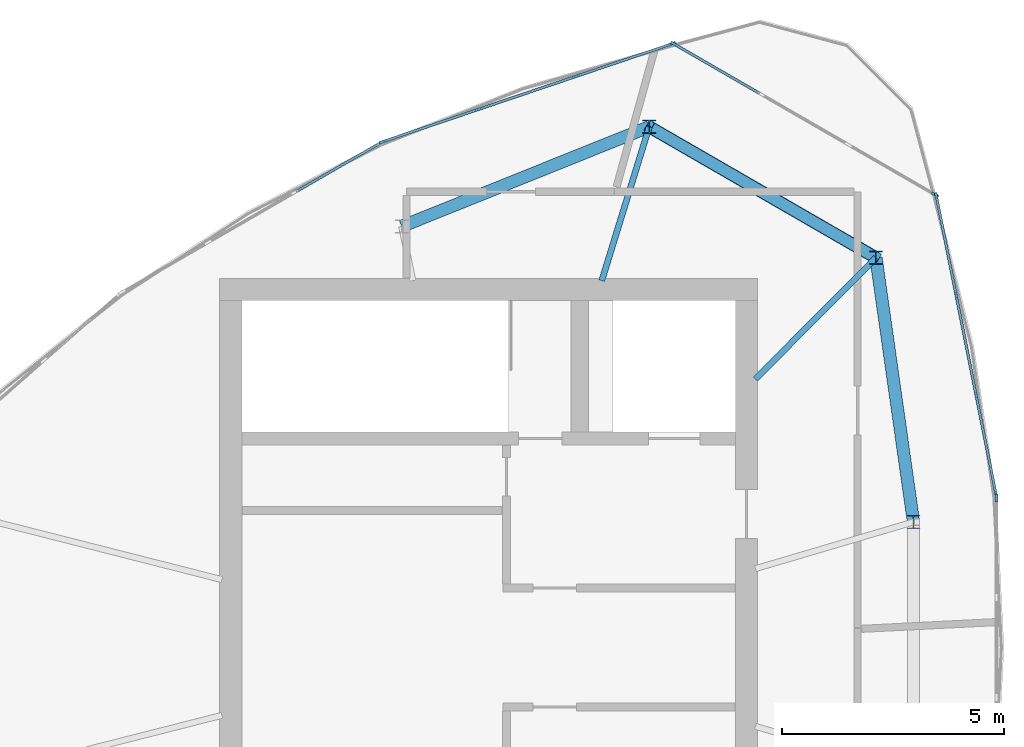
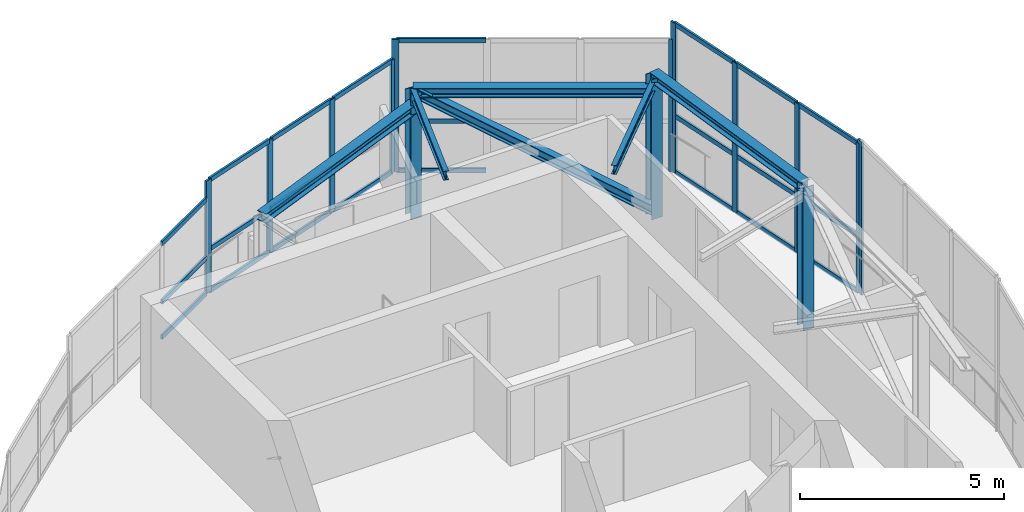
# One storey, part 4 of 9: 44 members, 5 elements without a shape of their own.
"""IFC4 building model written with IfcOpenShell, lengths in metres."""

from ifc_helpers import new_model, si_unit, direction, frame, origin, origin_2d, place, context, subcontext, project, spatial, rectangle, i_section, extrude, source, transform, mapped, material, layer, layer_set, material_profile, profile_set, type_object, element, aggregate, save


model = new_model("IFC4")

# Units and contexts
model_context = context("Model", 3, precision=1e-05, world=origin(), true_north=direction((0.0, 1.0)))
body_context = subcontext(model_context, "Body", "Model", "MODEL_VIEW")
ifc_project = project(units=[si_unit("LENGTHUNIT", "METRE"), si_unit("AREAUNIT", "SQUARE_METRE"), si_unit("VOLUMEUNIT", "CUBIC_METRE"), si_unit("PLANEANGLEUNIT", "RADIAN"), si_unit("MASSUNIT", "GRAM", prefix="KILO")], contexts=[model_context])

# Site, building, storey
site_placement = place(None, origin())
site = spatial("IfcSite", under=ifc_project, at=site_placement, CompositionType="ELEMENT")
building_placement = place(site_placement, origin())
building = spatial("IfcBuilding", under=site, at=building_placement, Name="Qafzar Sky-Pleat Residences", CompositionType="ELEMENT")
storey_placement = place(building_placement, frame((0.0, 0.0, 274.699951171875)))
storey = spatial("IfcBuildingStorey", under=building, at=storey_placement, Name="L81 Crown", CompositionType="ELEMENT", Elevation=274.699951171875)

# Members
ifc_material_1 = material(Name="Steel S355", Category="steel")
ifc_material_profile_1 = material_profile(ifc_material_1, i_section(OverallWidth=0.280029296875, OverallDepth=0.280029296875, WebThickness=0.010498046875, FlangeThickness=0.01806640625, FilletRadius=0.02392578125, at=origin_2d()), Name="HEB 280")
ifc_profile_set_1 = profile_set([ifc_material_profile_1], Name="Steel S355")
member_type_1 = type_object("IfcMemberType", Name="MEM-CROWN-RING", PredefinedType="PURLIN", material=ifc_profile_set_1)
shared_shape_1 = source(origin(), body_context, "Body", "SweptSolid", [
    extrude(i_section(OverallWidth=0.280029296875, OverallDepth=0.280029296875, WebThickness=0.010498046875, FlangeThickness=0.01806640625, FilletRadius=0.02392578125, at=origin_2d()), origin(), (0.0, 0.0, 1.0), 6.00244140625),
])
member_1_placement = place(storey_placement, frame((33.961181640625, 37.710693359375, 3.259765625), z_axis=(-0.927725846294, -0.373262312747, 0.0), x_axis=(0.373262312747, -0.927725846294, 0.0)))
element("IfcMember", 1, at=member_1_placement, inside=storey, type_object=member_type_1, Name="L81 Crown CROWN FRAME Ring Beam 10", PredefinedType="PURLIN", context=body_context, shape_type="MappedRepresentation", body=[
    mapped(shared_shape_1, transform((0.0, 0.0, 0.0), x_axis=(1.0, 0.0, 0.0), y_axis=(0.0, 1.0, 0.0), z_axis=(0.0, 0.0, 1.0), scale=1.0)),
])
shared_shape_2 = source(origin(), body_context, "Body", "SweptSolid", [
    extrude(i_section(OverallWidth=0.280029296875, OverallDepth=0.280029296875, WebThickness=0.010498046875, FlangeThickness=0.01806640625, FilletRadius=0.02392578125, at=origin_2d()), origin(), (0.0, 0.0, 1.0), 5.888916015625),
])
member_2_placement = place(storey_placement, frame((39.06103515625, 34.76611328125, 3.7470703125), z_axis=(-0.866012294628, 0.500022705037, 0.0), x_axis=(-0.500022705037, -0.866012294628, 0.0)))
element("IfcMember", 2, at=member_2_placement, inside=storey, type_object=member_type_1, Name="L81 Crown CROWN FRAME Ring Beam 9", PredefinedType="PURLIN", context=body_context, shape_type="MappedRepresentation", body=[
    mapped(shared_shape_2, transform((0.0, 0.0, 0.0), x_axis=(1.0, 0.0, 0.0), y_axis=(0.0, 1.0, 0.0), z_axis=(0.0, 0.0, 1.0), scale=1.0)),
])
shared_shape_3 = source(origin(), body_context, "Body", "SweptSolid", [
    extrude(i_section(OverallWidth=0.280029296875, OverallDepth=0.280029296875, WebThickness=0.010498046875, FlangeThickness=0.01806640625, FilletRadius=0.02392578125, at=origin_2d()), origin(), (0.0, 0.0, 1.0), 6.002197265625),
])
member_3_placement = place(storey_placement, frame((39.905029296875, 28.823486328125, 4.193115234375), z_axis=(-0.140612694547, 0.990064679772, 0.0), x_axis=(-0.990064679772, -0.140612694547, 0.0)))
element("IfcMember", 3, at=member_3_placement, inside=storey, type_object=member_type_1, Name="L81 Crown CROWN FRAME Ring Beam 8", PredefinedType="PURLIN", context=body_context, shape_type="MappedRepresentation", body=[
    mapped(shared_shape_3, transform((0.0, 0.0, 0.0), x_axis=(1.0, 0.0, 0.0), y_axis=(0.0, 1.0, 0.0), z_axis=(0.0, 0.0, 1.0), scale=1.0)),
])
ifc_material_2 = material(Name="Steel S460", Category="steel")
ifc_material_profile_2 = material_profile(ifc_material_2, i_section(OverallWidth=0.300048828125, OverallDepth=0.300048828125, WebThickness=0.010986328125, FlangeThickness=0.01904296875, FilletRadius=0.027099609375, at=origin_2d()), Name="HEB 300")
ifc_profile_set_2 = profile_set([ifc_material_profile_2], Name="Steel S460")
member_type_2 = type_object("IfcMemberType", Name="MEM-CROWN-RIB", PredefinedType="CHORD", material=ifc_profile_set_2)
shared_shape_4 = source(origin(), body_context, "Body", "SweptSolid", [
    extrude(i_section(OverallWidth=0.300048828125, OverallDepth=0.300048828125, WebThickness=0.010986328125, FlangeThickness=0.01904296875, FilletRadius=0.027099609375, at=origin_2d()), origin(), (0.0, 0.0, 1.0), 3.737060546875),
])
member_4_placement = place(storey_placement, frame((33.961181640625, 37.710693359375, 0.0), z_axis=(0.0, 0.0, 1.0), x_axis=(1.0, 0.0, 0.0)))
element("IfcMember", 4, at=member_4_placement, inside=storey, type_object=member_type_2, Name="L81 Crown CROWN FRAME Inclined Rib 10", PredefinedType="CHORD", context=body_context, shape_type="MappedRepresentation", body=[
    mapped(shared_shape_4, transform((0.0, 0.0, 0.0), x_axis=(1.0, 0.0, 0.0), y_axis=(0.0, 1.0, 0.0), z_axis=(0.0, 0.0, 1.0), scale=1.0)),
])
ifc_material_profile_3 = material_profile(ifc_material_1, i_section(OverallWidth=0.135009765625, OverallDepth=0.27001953125, WebThickness=0.006591796875, FlangeThickness=0.01025390625, FilletRadius=0.014892578125, at=origin_2d()), Name="IPE 270")
ifc_profile_set_3 = profile_set([ifc_material_profile_3], Name="Steel S355")
member_type_3 = type_object("IfcMemberType", Name="MEM-CROWN-TRIM", PredefinedType="PURLIN", material=ifc_profile_set_3)
shared_shape_5 = source(origin(), body_context, "Body", "SweptSolid", [
    extrude(i_section(OverallWidth=0.135009765625, OverallDepth=0.27001953125, WebThickness=0.006591796875, FlangeThickness=0.01025390625, FilletRadius=0.014892578125, at=origin_2d()), origin(), (0.0, 0.0, 1.0), 3.62158203125),
])
member_5_placement = place(storey_placement, frame((33.961181640625, 37.710693359375, 3.658447265625), z_axis=(-0.294668473504, -0.955599545167, 0.0), x_axis=(0.955599545167, -0.294668473504, 0.0)))
element("IfcMember", 5, at=member_5_placement, inside=storey, type_object=member_type_3, Name="L81 Crown CROWN FRAME Radial Purlin 10", PredefinedType="PURLIN", context=body_context, shape_type="MappedRepresentation", body=[
    mapped(shared_shape_5, transform((0.0, 0.0, 0.0), x_axis=(1.0, 0.0, 0.0), y_axis=(0.0, 1.0, 0.0), z_axis=(0.0, 0.0, 1.0), scale=1.0)),
])
shared_shape_6 = source(origin(), body_context, "Body", "SweptSolid", [
    extrude(i_section(OverallWidth=0.300048828125, OverallDepth=0.300048828125, WebThickness=0.010986328125, FlangeThickness=0.01904296875, FilletRadius=0.027099609375, at=origin_2d()), origin(), (0.0, 0.0, 1.0), 4.18310546875),
])
member_6_placement = place(storey_placement, frame((39.06103515625, 34.76611328125, 0.0), z_axis=(0.0, 0.0, 1.0), x_axis=(1.0, 0.0, 0.0)))
element("IfcMember", 6, at=member_6_placement, inside=storey, type_object=member_type_2, Name="L81 Crown CROWN FRAME Inclined Rib 9", PredefinedType="CHORD", context=body_context, shape_type="MappedRepresentation", body=[
    mapped(shared_shape_6, transform((0.0, 0.0, 0.0), x_axis=(1.0, 0.0, 0.0), y_axis=(0.0, 1.0, 0.0), z_axis=(0.0, 0.0, 1.0), scale=1.0)),
])
shared_shape_7 = source(origin(), body_context, "Body", "SweptSolid", [
    extrude(i_section(OverallWidth=0.135009765625, OverallDepth=0.27001953125, WebThickness=0.006591796875, FlangeThickness=0.01025390625, FilletRadius=0.014892578125, at=origin_2d()), origin(), (0.0, 0.0, 1.0), 3.845947265625),
])
member_7_placement = place(storey_placement, frame((39.06103515625, 34.76611328125, 3.9609375), z_axis=(-0.704881491973, -0.709325089274, 0.0), x_axis=(0.709325089274, -0.704881491973, 0.0)))
element("IfcMember", 7, at=member_7_placement, inside=storey, type_object=member_type_3, Name="L81 Crown CROWN FRAME Radial Purlin 9", PredefinedType="PURLIN", context=body_context, shape_type="MappedRepresentation", body=[
    mapped(shared_shape_7, transform((0.0, 0.0, 0.0), x_axis=(1.0, 0.0, 0.0), y_axis=(0.0, 1.0, 0.0), z_axis=(0.0, 0.0, 1.0), scale=1.0)),
])
shared_shape_8 = source(origin(), body_context, "Body", "SweptSolid", [
    extrude(i_section(OverallWidth=0.300048828125, OverallDepth=0.300048828125, WebThickness=0.010986328125, FlangeThickness=0.01904296875, FilletRadius=0.027099609375, at=origin_2d()), origin(), (0.0, 0.0, 1.0), 4.2568359375),
])
member_8_placement = place(storey_placement, frame((39.905029296875, 28.823486328125, 0.0), z_axis=(0.0, 0.0, 1.0), x_axis=(1.0, 0.0, 0.0)))
element("IfcMember", 8, at=member_8_placement, inside=storey, type_object=member_type_2, Name="L81 Crown CROWN FRAME Inclined Rib 8", PredefinedType="CHORD", context=body_context, shape_type="MappedRepresentation", body=[
    mapped(shared_shape_8, transform((0.0, 0.0, 0.0), x_axis=(1.0, 0.0, 0.0), y_axis=(0.0, 1.0, 0.0), z_axis=(0.0, 0.0, 1.0), scale=1.0)),
])
ifc_material_profile_4 = material_profile(ifc_material_1, i_section(OverallWidth=0.260009765625, OverallDepth=0.260009765625, WebThickness=0.010009765625, FlangeThickness=0.017578125, FilletRadius=0.02392578125, at=origin_2d()), Name="HEB 260")
ifc_profile_set_4 = profile_set([ifc_material_profile_4], Name="Steel S355")
member_type_4 = type_object("IfcMemberType", Name="MEM-CROWN-DIAG", PredefinedType="BRACE", material=ifc_profile_set_4)
shared_shape_9 = source(origin(), body_context, "Body", "SweptSolid", [
    extrude(i_section(OverallWidth=0.260009765625, OverallDepth=0.260009765625, WebThickness=0.010009765625, FlangeThickness=0.017578125, FilletRadius=0.02392578125, at=origin_2d()), origin(), (0.0, 0.0, 1.0), 6.879638671875),
])
member_9_placement = place(storey_placement, frame((39.06103515625, 34.76611328125, 0.199951171875), z_axis=(-0.741288419534, 0.428008982144, 0.517010435358), x_axis=(-0.500022705037, -0.866012294628, 0.0)))
element("IfcMember", 9, at=member_9_placement, inside=storey, type_object=member_type_4, Name="L81 Crown CROWN FRAME Wind Brace 9", PredefinedType="BRACE", context=body_context, shape_type="MappedRepresentation", body=[
    mapped(shared_shape_9, transform((0.0, 0.0, 0.0), x_axis=(1.0, 0.0, 0.0), y_axis=(0.0, 1.0, 0.0), z_axis=(0.0, 0.0, 1.0), scale=1.0)),
])

# Curtain wall, members
ifc_material_3 = material(Name="Anodised bronze aluminium framing", Category="aluminium")
ifc_layer = layer(ifc_material_3, 0.179931640625)
ifc_layer_set = layer_set([ifc_layer], Name="Anodised bronze aluminium framing")
curtain_wall_type = type_object("IfcCurtainWallType", Name="CW-SYS-06", PredefinedType="NOTDEFINED", material=ifc_layer_set)
curtain_wall_1_placement = place(storey_placement, origin())
curtain_wall_1 = element("IfcCurtainWall", 10, at=curtain_wall_1_placement, inside=storey, type_object=curtain_wall_type, Name="L81 Crown CW-06 Curtain Wall CW-CROWN-06-10", PredefinedType="NOTDEFINED")
ifc_material_4 = material(Name="Anodised bronze aluminium", Category="aluminium")
ifc_material_profile_5 = material_profile(ifc_material_4, rectangle(XDim=0.06005859375, YDim=0.135009765625, at=origin_2d()), Name="ALU TRANSOM 60x135")
ifc_profile_set_5 = profile_set([ifc_material_profile_5], Name="Anodised bronze aluminium")
member_type_5 = type_object("IfcMemberType", Name="CWT-06", PredefinedType="USERDEFINED", material=ifc_profile_set_5)
shared_shape_10 = source(origin(), body_context, "Body", "SweptSolid", [
    extrude(rectangle(XDim=0.06005859375, YDim=0.135009765625, at=origin_2d()), origin(), (0.0, 0.0, 1.0), 2.214599609375),
])
member_10_placement = place(storey_placement, frame((34.4423828125, 39.565673828125, 0.030029296875), z_axis=(-0.947262825794, -0.320457702151, 0.0), x_axis=(0.320457702151, -0.947262825794, 0.0)))
member_10 = element("IfcMember", 11, at=member_10_placement, type_object=member_type_5, Name="CW-06 transom 1.1", ObjectType="TRANSOM", PredefinedType="USERDEFINED", context=body_context, shape_type="MappedRepresentation", body=[
    mapped(shared_shape_10, transform((0.0, 0.0, 0.0), x_axis=(1.0, 0.0, 0.0), y_axis=(0.0, 1.0, 0.0), z_axis=(0.0, 0.0, 1.0), scale=1.0)),
])
member_11_placement = place(storey_placement, frame((34.4423828125, 39.565673828125, 1.281005859375), z_axis=(-0.947262825794, -0.320457702151, 0.0), x_axis=(0.320457702151, -0.947262825794, 0.0)))
member_11 = element("IfcMember", 12, at=member_11_placement, type_object=member_type_5, Name="CW-06 transom 1.2", ObjectType="TRANSOM", PredefinedType="USERDEFINED", context=body_context, shape_type="MappedRepresentation", body=[
    mapped(shared_shape_10, transform((0.0, 0.0, 0.0), x_axis=(1.0, 0.0, 0.0), y_axis=(0.0, 1.0, 0.0), z_axis=(0.0, 0.0, 1.0), scale=1.0)),
])
member_12_placement = place(storey_placement, frame((34.4423828125, 39.565673828125, 3.341064453125), z_axis=(-0.947262825794, -0.320457702151, 0.0), x_axis=(0.320457702151, -0.947262825794, 0.0)))
member_12 = element("IfcMember", 13, at=member_12_placement, type_object=member_type_5, Name="CW-06 transom 1.3", ObjectType="TRANSOM", PredefinedType="USERDEFINED", context=body_context, shape_type="MappedRepresentation", body=[
    mapped(shared_shape_10, transform((0.0, 0.0, 0.0), x_axis=(1.0, 0.0, 0.0), y_axis=(0.0, 1.0, 0.0), z_axis=(0.0, 0.0, 1.0), scale=1.0)),
])
member_13_placement = place(storey_placement, frame((30.104736328125, 38.09814453125, 0.030029296875), z_axis=(-0.947262825794, -0.320457702151, 0.0), x_axis=(0.320457702151, -0.947262825794, 0.0)))
member_13 = element("IfcMember", 14, at=member_13_placement, type_object=member_type_5, Name="CW-06 transom 3.1", ObjectType="TRANSOM", PredefinedType="USERDEFINED", context=body_context, shape_type="MappedRepresentation", body=[
    mapped(shared_shape_10, transform((0.0, 0.0, 0.0), x_axis=(1.0, 0.0, 0.0), y_axis=(0.0, 1.0, 0.0), z_axis=(0.0, 0.0, 1.0), scale=1.0)),
])
member_14_placement = place(storey_placement, frame((30.104736328125, 38.09814453125, 1.281005859375), z_axis=(-0.947262825794, -0.320457702151, 0.0), x_axis=(0.320457702151, -0.947262825794, 0.0)))
member_14 = element("IfcMember", 15, at=member_14_placement, type_object=member_type_5, Name="CW-06 transom 3.2", ObjectType="TRANSOM", PredefinedType="USERDEFINED", context=body_context, shape_type="MappedRepresentation", body=[
    mapped(shared_shape_10, transform((0.0, 0.0, 0.0), x_axis=(1.0, 0.0, 0.0), y_axis=(0.0, 1.0, 0.0), z_axis=(0.0, 0.0, 1.0), scale=1.0)),
])
member_15_placement = place(storey_placement, frame((30.104736328125, 38.09814453125, 3.341064453125), z_axis=(-0.947262825794, -0.320457702151, 0.0), x_axis=(0.320457702151, -0.947262825794, 0.0)))
member_15 = element("IfcMember", 16, at=member_15_placement, type_object=member_type_5, Name="CW-06 transom 3.3", ObjectType="TRANSOM", PredefinedType="USERDEFINED", context=body_context, shape_type="MappedRepresentation", body=[
    mapped(shared_shape_10, transform((0.0, 0.0, 0.0), x_axis=(1.0, 0.0, 0.0), y_axis=(0.0, 1.0, 0.0), z_axis=(0.0, 0.0, 1.0), scale=1.0)),
])
shared_shape_11 = source(origin(), body_context, "Body", "SweptSolid", [
    extrude(rectangle(XDim=0.06005859375, YDim=0.135009765625, at=origin_2d()), origin(), (0.0, 0.0, 1.0), 2.24462890625),
])
member_16_placement = place(storey_placement, frame((32.28759765625, 38.836669921875, 0.030029296875), z_axis=(-0.947270836897, -0.320434020611, 0.0), x_axis=(0.320434020611, -0.947270836897, 0.0)))
member_16 = element("IfcMember", 17, at=member_16_placement, type_object=member_type_5, Name="CW-06 transom 2.1", ObjectType="TRANSOM", PredefinedType="USERDEFINED", context=body_context, shape_type="MappedRepresentation", body=[
    mapped(shared_shape_11, transform((0.0, 0.0, 0.0), x_axis=(1.0, 0.0, 0.0), y_axis=(0.0, 1.0, 0.0), z_axis=(0.0, 0.0, 1.0), scale=1.0)),
])
member_17_placement = place(storey_placement, frame((32.28759765625, 38.836669921875, 1.281005859375), z_axis=(-0.947270836897, -0.320434020611, 0.0), x_axis=(0.320434020611, -0.947270836897, 0.0)))
member_17 = element("IfcMember", 18, at=member_17_placement, type_object=member_type_5, Name="CW-06 transom 2.2", ObjectType="TRANSOM", PredefinedType="USERDEFINED", context=body_context, shape_type="MappedRepresentation", body=[
    mapped(shared_shape_11, transform((0.0, 0.0, 0.0), x_axis=(1.0, 0.0, 0.0), y_axis=(0.0, 1.0, 0.0), z_axis=(0.0, 0.0, 1.0), scale=1.0)),
])
member_18_placement = place(storey_placement, frame((32.28759765625, 38.836669921875, 3.341064453125), z_axis=(-0.947270836897, -0.320434020611, 0.0), x_axis=(0.320434020611, -0.947270836897, 0.0)))
member_18 = element("IfcMember", 19, at=member_18_placement, type_object=member_type_5, Name="CW-06 transom 2.3", ObjectType="TRANSOM", PredefinedType="USERDEFINED", context=body_context, shape_type="MappedRepresentation", body=[
    mapped(shared_shape_11, transform((0.0, 0.0, 0.0), x_axis=(1.0, 0.0, 0.0), y_axis=(0.0, 1.0, 0.0), z_axis=(0.0, 0.0, 1.0), scale=1.0)),
])

curtain_wall_2_placement = place(storey_placement, origin())
curtain_wall_2 = element("IfcCurtainWall", 20, at=curtain_wall_2_placement, inside=storey, type_object=curtain_wall_type, Name="L81 Crown CW-06 Curtain Wall CW-CROWN-06-08", PredefinedType="NOTDEFINED")
shared_shape_12 = source(origin(), body_context, "Body", "SweptSolid", [
    extrude(rectangle(XDim=0.06005859375, YDim=0.135009765625, at=origin_2d()), origin(), (0.0, 0.0, 1.0), 2.21435546875),
])
member_19_placement = place(storey_placement, frame((41.75927734375, 29.44873046875, 0.030029296875), z_axis=(-0.196137337295, 0.980576435021, 0.0), x_axis=(-0.980576435021, -0.196137337295, 0.0)))
member_19 = element("IfcMember", 21, at=member_19_placement, type_object=member_type_5, Name="CW-06 transom 1.1", ObjectType="TRANSOM", PredefinedType="USERDEFINED", context=body_context, shape_type="MappedRepresentation", body=[
    mapped(shared_shape_12, transform((0.0, 0.0, 0.0), x_axis=(1.0, 0.0, 0.0), y_axis=(0.0, 1.0, 0.0), z_axis=(0.0, 0.0, 1.0), scale=1.0)),
])
member_20_placement = place(storey_placement, frame((41.75927734375, 29.44873046875, 1.695556640625), z_axis=(-0.196137337295, 0.980576435021, 0.0), x_axis=(-0.980576435021, -0.196137337295, 0.0)))
member_20 = element("IfcMember", 22, at=member_20_placement, type_object=member_type_5, Name="CW-06 transom 1.2", ObjectType="TRANSOM", PredefinedType="USERDEFINED", context=body_context, shape_type="MappedRepresentation", body=[
    mapped(shared_shape_12, transform((0.0, 0.0, 0.0), x_axis=(1.0, 0.0, 0.0), y_axis=(0.0, 1.0, 0.0), z_axis=(0.0, 0.0, 1.0), scale=1.0)),
])
member_21_placement = place(storey_placement, frame((41.75927734375, 29.44873046875, 4.431640625), z_axis=(-0.196137337295, 0.980576435021, 0.0), x_axis=(-0.980576435021, -0.196137337295, 0.0)))
member_21 = element("IfcMember", 23, at=member_21_placement, type_object=member_type_5, Name="CW-06 transom 1.3", ObjectType="TRANSOM", PredefinedType="USERDEFINED", context=body_context, shape_type="MappedRepresentation", body=[
    mapped(shared_shape_12, transform((0.0, 0.0, 0.0), x_axis=(1.0, 0.0, 0.0), y_axis=(0.0, 1.0, 0.0), z_axis=(0.0, 0.0, 1.0), scale=1.0)),
])
member_22_placement = place(storey_placement, frame((40.861328125, 33.93896484375, 0.030029296875), z_axis=(-0.196137337295, 0.980576435021, 0.0), x_axis=(-0.980576435021, -0.196137337295, 0.0)))
member_22 = element("IfcMember", 24, at=member_22_placement, type_object=member_type_5, Name="CW-06 transom 3.1", ObjectType="TRANSOM", PredefinedType="USERDEFINED", context=body_context, shape_type="MappedRepresentation", body=[
    mapped(shared_shape_12, transform((0.0, 0.0, 0.0), x_axis=(1.0, 0.0, 0.0), y_axis=(0.0, 1.0, 0.0), z_axis=(0.0, 0.0, 1.0), scale=1.0)),
])
member_23_placement = place(storey_placement, frame((40.861328125, 33.93896484375, 1.695556640625), z_axis=(-0.196137337295, 0.980576435021, 0.0), x_axis=(-0.980576435021, -0.196137337295, 0.0)))
member_23 = element("IfcMember", 25, at=member_23_placement, type_object=member_type_5, Name="CW-06 transom 3.2", ObjectType="TRANSOM", PredefinedType="USERDEFINED", context=body_context, shape_type="MappedRepresentation", body=[
    mapped(shared_shape_12, transform((0.0, 0.0, 0.0), x_axis=(1.0, 0.0, 0.0), y_axis=(0.0, 1.0, 0.0), z_axis=(0.0, 0.0, 1.0), scale=1.0)),
])
member_24_placement = place(storey_placement, frame((40.861328125, 33.93896484375, 4.431640625), z_axis=(-0.196137337295, 0.980576435021, 0.0), x_axis=(-0.980576435021, -0.196137337295, 0.0)))
member_24 = element("IfcMember", 26, at=member_24_placement, type_object=member_type_5, Name="CW-06 transom 3.3", ObjectType="TRANSOM", PredefinedType="USERDEFINED", context=body_context, shape_type="MappedRepresentation", body=[
    mapped(shared_shape_12, transform((0.0, 0.0, 0.0), x_axis=(1.0, 0.0, 0.0), y_axis=(0.0, 1.0, 0.0), z_axis=(0.0, 0.0, 1.0), scale=1.0)),
])

curtain_wall_3_placement = place(storey_placement, origin())
curtain_wall_3 = element("IfcCurtainWall", 27, at=curtain_wall_3_placement, inside=storey, type_object=curtain_wall_type, Name="L81 Crown CW-06 Curtain Wall CW-CROWN-06-11", PredefinedType="NOTDEFINED")
shared_shape_13 = source(origin(), body_context, "Body", "SweptSolid", [
    extrude(rectangle(XDim=0.06005859375, YDim=0.135009765625, at=origin_2d()), origin(), (0.0, 0.0, 1.0), 2.169921875),
])
member_25_placement = place(storey_placement, frame((27.89794921875, 37.33935546875, 0.030029296875), z_axis=(-0.866018827591, -0.500011390128, 0.0), x_axis=(0.500011390128, -0.866018827591, 0.0)))
member_25 = element("IfcMember", 28, at=member_25_placement, type_object=member_type_5, Name="CW-06 transom 1.1", ObjectType="TRANSOM", PredefinedType="USERDEFINED", context=body_context, shape_type="MappedRepresentation", body=[
    mapped(shared_shape_13, transform((0.0, 0.0, 0.0), x_axis=(1.0, 0.0, 0.0), y_axis=(0.0, 1.0, 0.0), z_axis=(0.0, 0.0, 1.0), scale=1.0)),
])
member_26_placement = place(storey_placement, frame((27.89794921875, 37.33935546875, 1.0859375), z_axis=(-0.866018827591, -0.500011390128, 0.0), x_axis=(0.500011390128, -0.866018827591, 0.0)))
member_26 = element("IfcMember", 29, at=member_26_placement, type_object=member_type_5, Name="CW-06 transom 1.2", ObjectType="TRANSOM", PredefinedType="USERDEFINED", context=body_context, shape_type="MappedRepresentation", body=[
    mapped(shared_shape_13, transform((0.0, 0.0, 0.0), x_axis=(1.0, 0.0, 0.0), y_axis=(0.0, 1.0, 0.0), z_axis=(0.0, 0.0, 1.0), scale=1.0)),
])
member_27_placement = place(storey_placement, frame((27.89794921875, 37.33935546875, 2.827392578125), z_axis=(-0.866018827591, -0.500011390128, 0.0), x_axis=(0.500011390128, -0.866018827591, 0.0)))
member_27 = element("IfcMember", 30, at=member_27_placement, type_object=member_type_5, Name="CW-06 transom 1.3", ObjectType="TRANSOM", PredefinedType="USERDEFINED", context=body_context, shape_type="MappedRepresentation", body=[
    mapped(shared_shape_13, transform((0.0, 0.0, 0.0), x_axis=(1.0, 0.0, 0.0), y_axis=(0.0, 1.0, 0.0), z_axis=(0.0, 0.0, 1.0), scale=1.0)),
])
aggregate(curtain_wall_3, [member_25, member_26, member_27])

# Member
ifc_material_profile_6 = material_profile(ifc_material_4, rectangle(XDim=0.06005859375, YDim=0.179931640625, at=origin_2d()), Name="ALU MULLION 60x180")
ifc_profile_set_6 = profile_set([ifc_material_profile_6], Name="Anodised bronze aluminium")
member_type_6 = type_object("IfcMemberType", Name="CWM-06", PredefinedType="MULLION", material=ifc_profile_set_6)
shared_shape_14 = source(origin(), body_context, "Body", "SweptSolid", [
    extrude(rectangle(XDim=0.06005859375, YDim=0.179931640625, at=origin_2d()), origin(), (0.0, 0.0, 1.0), 3.37109375),
])
member_28_placement = place(storey_placement, frame((34.470703125, 39.5751953125, 0.0), z_axis=(0.0, 0.0, 1.0), x_axis=(0.320459611229, -0.947262179954, 0.0)))
member_28 = element("IfcMember", 31, at=member_28_placement, type_object=member_type_6, Name="CW-06 mullion 1", PredefinedType="MULLION", context=body_context, shape_type="MappedRepresentation", body=[
    mapped(shared_shape_14, transform((0.0, 0.0, 0.0), x_axis=(1.0, 0.0, 0.0), y_axis=(0.0, 1.0, 0.0), z_axis=(0.0, 0.0, 1.0), scale=1.0)),
])

member_29_placement = place(storey_placement, frame((32.316162109375, 38.846435546875, 0.0), z_axis=(0.0, 0.0, 1.0), x_axis=(0.320459611229, -0.947262179954, 0.0)))
member_29 = element("IfcMember", 32, at=member_29_placement, type_object=member_type_6, Name="CW-06 mullion 2", PredefinedType="MULLION", context=body_context, shape_type="MappedRepresentation", body=[
    mapped(shared_shape_14, transform((0.0, 0.0, 0.0), x_axis=(1.0, 0.0, 0.0), y_axis=(0.0, 1.0, 0.0), z_axis=(0.0, 0.0, 1.0), scale=1.0)),
])

member_30_placement = place(storey_placement, frame((30.133056640625, 38.10791015625, 0.0), z_axis=(0.0, 0.0, 1.0), x_axis=(0.320459611229, -0.947262179954, 0.0)))
member_30 = element("IfcMember", 33, at=member_30_placement, type_object=member_type_6, Name="CW-06 mullion 3", PredefinedType="MULLION", context=body_context, shape_type="MappedRepresentation", body=[
    mapped(shared_shape_14, transform((0.0, 0.0, 0.0), x_axis=(1.0, 0.0, 0.0), y_axis=(0.0, 1.0, 0.0), z_axis=(0.0, 0.0, 1.0), scale=1.0)),
])

member_31_placement = place(storey_placement, frame((27.978515625, 37.37890625, 0.0), z_axis=(0.0, 0.0, 1.0), x_axis=(0.320459611229, -0.947262179954, 0.0)))
member_31 = element("IfcMember", 34, at=member_31_placement, type_object=member_type_6, Name="CW-06 mullion 4", PredefinedType="MULLION", context=body_context, shape_type="MappedRepresentation", body=[
    mapped(shared_shape_14, transform((0.0, 0.0, 0.0), x_axis=(1.0, 0.0, 0.0), y_axis=(0.0, 1.0, 0.0), z_axis=(0.0, 0.0, 1.0), scale=1.0)),
])

aggregate(curtain_wall_1, [member_28, member_29, member_30, member_31, member_10, member_11, member_12, member_16, member_17, member_18, member_13, member_14, member_15])

# Curtain wall, members
curtain_wall_4_placement = place(storey_placement, origin())
curtain_wall_4 = element("IfcCurtainWall", 35, at=curtain_wall_4_placement, inside=storey, type_object=curtain_wall_type, Name="L81 Crown CW-06 Curtain Wall CW-CROWN-06-09", PredefinedType="NOTDEFINED")
shared_shape_15 = source(origin(), body_context, "Body", "SweptSolid", [
    extrude(rectangle(XDim=0.06005859375, YDim=0.179931640625, at=origin_2d()), origin(), (0.0, 0.0, 1.0), 3.944091796875),
])
member_32_placement = place(storey_placement, frame((40.38916015625, 36.184326171875, 0.0), z_axis=(0.0, 0.0, 1.0), x_axis=(-0.499999539703, -0.866025669537, 0.0)))
member_32 = element("IfcMember", 36, at=member_32_placement, type_object=member_type_6, Name="CW-06 mullion 1", PredefinedType="MULLION", context=body_context, shape_type="MappedRepresentation", body=[
    mapped(shared_shape_15, transform((0.0, 0.0, 0.0), x_axis=(1.0, 0.0, 0.0), y_axis=(0.0, 1.0, 0.0), z_axis=(0.0, 0.0, 1.0), scale=1.0)),
])
member_33_placement = place(storey_placement, frame((34.525146484375, 39.56982421875, 0.0), z_axis=(0.0, 0.0, 1.0), x_axis=(-0.499999539703, -0.866025669537, 0.0)))
member_33 = element("IfcMember", 37, at=member_33_placement, type_object=member_type_6, Name="CW-06 mullion 4", PredefinedType="MULLION", context=body_context, shape_type="MappedRepresentation", body=[
    mapped(shared_shape_15, transform((0.0, 0.0, 0.0), x_axis=(1.0, 0.0, 0.0), y_axis=(0.0, 1.0, 0.0), z_axis=(0.0, 0.0, 1.0), scale=1.0)),
])
shared_shape_16 = source(origin(), body_context, "Body", "SweptSolid", [
    extrude(rectangle(XDim=0.06005859375, YDim=0.135009765625, at=origin_2d()), origin(), (0.0, 0.0, 1.0), 2.18701171875),
])
member_34_placement = place(storey_placement, frame((36.4453125, 38.46142578125, 0.030029296875), z_axis=(-0.866029434536, 0.499993018469, 0.0), x_axis=(-0.499993018469, -0.866029434536, 0.0)))
member_34 = element("IfcMember", 38, at=member_34_placement, type_object=member_type_5, Name="CW-06 transom 3.1", ObjectType="TRANSOM", PredefinedType="USERDEFINED", context=body_context, shape_type="MappedRepresentation", body=[
    mapped(shared_shape_16, transform((0.0, 0.0, 0.0), x_axis=(1.0, 0.0, 0.0), y_axis=(0.0, 1.0, 0.0), z_axis=(0.0, 0.0, 1.0), scale=1.0)),
])
member_35_placement = place(storey_placement, frame((36.4453125, 38.46142578125, 1.498779296875), z_axis=(-0.866029434536, 0.499993018469, 0.0), x_axis=(-0.499993018469, -0.866029434536, 0.0)))
member_35 = element("IfcMember", 39, at=member_35_placement, type_object=member_type_5, Name="CW-06 transom 3.2", ObjectType="TRANSOM", PredefinedType="USERDEFINED", context=body_context, shape_type="MappedRepresentation", body=[
    mapped(shared_shape_16, transform((0.0, 0.0, 0.0), x_axis=(1.0, 0.0, 0.0), y_axis=(0.0, 1.0, 0.0), z_axis=(0.0, 0.0, 1.0), scale=1.0)),
])
member_36_placement = place(storey_placement, frame((36.4453125, 38.46142578125, 3.9140625), z_axis=(-0.866029434536, 0.499993018469, 0.0), x_axis=(-0.499993018469, -0.866029434536, 0.0)))
member_36 = element("IfcMember", 40, at=member_36_placement, type_object=member_type_5, Name="CW-06 transom 3.3", ObjectType="TRANSOM", PredefinedType="USERDEFINED", context=body_context, shape_type="MappedRepresentation", body=[
    mapped(shared_shape_16, transform((0.0, 0.0, 0.0), x_axis=(1.0, 0.0, 0.0), y_axis=(0.0, 1.0, 0.0), z_axis=(0.0, 0.0, 1.0), scale=1.0)),
])
aggregate(curtain_wall_4, [member_32, member_33, member_34, member_35, member_36])

# Member
shared_shape_17 = source(origin(), body_context, "Body", "SweptSolid", [
    extrude(rectangle(XDim=0.06005859375, YDim=0.179931640625, at=origin_2d()), origin(), (0.0, 0.0, 1.0), 4.461669921875),
])
member_37_placement = place(storey_placement, frame((41.76513671875, 29.419189453125, 0.0), z_axis=(0.0, 0.0, 1.0), x_axis=(-0.980580675691, -0.196116135138, 0.0)))
member_37 = element("IfcMember", 41, at=member_37_placement, type_object=member_type_6, Name="CW-06 mullion 1", PredefinedType="MULLION", context=body_context, shape_type="MappedRepresentation", body=[
    mapped(shared_shape_17, transform((0.0, 0.0, 0.0), x_axis=(1.0, 0.0, 0.0), y_axis=(0.0, 1.0, 0.0), z_axis=(0.0, 0.0, 1.0), scale=1.0)),
])

member_38_placement = place(storey_placement, frame((41.319091796875, 31.649658203125, 0.0), z_axis=(0.0, 0.0, 1.0), x_axis=(-0.980580675691, -0.196116135138, 0.0)))
member_38 = element("IfcMember", 42, at=member_38_placement, type_object=member_type_6, Name="CW-06 mullion 2", PredefinedType="MULLION", context=body_context, shape_type="MappedRepresentation", body=[
    mapped(shared_shape_17, transform((0.0, 0.0, 0.0), x_axis=(1.0, 0.0, 0.0), y_axis=(0.0, 1.0, 0.0), z_axis=(0.0, 0.0, 1.0), scale=1.0)),
])

member_39_placement = place(storey_placement, frame((40.8671875, 33.909423828125, 0.0), z_axis=(0.0, 0.0, 1.0), x_axis=(-0.980580675691, -0.196116135138, 0.0)))
member_39 = element("IfcMember", 43, at=member_39_placement, type_object=member_type_6, Name="CW-06 mullion 3", PredefinedType="MULLION", context=body_context, shape_type="MappedRepresentation", body=[
    mapped(shared_shape_17, transform((0.0, 0.0, 0.0), x_axis=(1.0, 0.0, 0.0), y_axis=(0.0, 1.0, 0.0), z_axis=(0.0, 0.0, 1.0), scale=1.0)),
])

member_40_placement = place(storey_placement, frame((40.421142578125, 36.139892578125, 0.0), z_axis=(0.0, 0.0, 1.0), x_axis=(-0.980580675691, -0.196116135138, 0.0)))
member_40 = element("IfcMember", 44, at=member_40_placement, type_object=member_type_6, Name="CW-06 mullion 4", PredefinedType="MULLION", context=body_context, shape_type="MappedRepresentation", body=[
    mapped(shared_shape_17, transform((0.0, 0.0, 0.0), x_axis=(1.0, 0.0, 0.0), y_axis=(0.0, 1.0, 0.0), z_axis=(0.0, 0.0, 1.0), scale=1.0)),
])

shared_shape_18 = source(origin(), body_context, "Body", "SweptSolid", [
    extrude(rectangle(XDim=0.06005859375, YDim=0.135009765625, at=origin_2d()), origin(), (0.0, 0.0, 1.0), 2.244873046875),
])
member_41_placement = place(storey_placement, frame((41.313232421875, 31.678955078125, 0.030029296875), z_axis=(-0.196095219609, 0.980584858565, 0.0), x_axis=(-0.980584858565, -0.196095219609, 0.0)))
member_41 = element("IfcMember", 45, at=member_41_placement, type_object=member_type_5, Name="CW-06 transom 2.1", ObjectType="TRANSOM", PredefinedType="USERDEFINED", context=body_context, shape_type="MappedRepresentation", body=[
    mapped(shared_shape_18, transform((0.0, 0.0, 0.0), x_axis=(1.0, 0.0, 0.0), y_axis=(0.0, 1.0, 0.0), z_axis=(0.0, 0.0, 1.0), scale=1.0)),
])

member_42_placement = place(storey_placement, frame((41.313232421875, 31.678955078125, 1.695556640625), z_axis=(-0.196095219609, 0.980584858565, 0.0), x_axis=(-0.980584858565, -0.196095219609, 0.0)))
member_42 = element("IfcMember", 46, at=member_42_placement, type_object=member_type_5, Name="CW-06 transom 2.2", ObjectType="TRANSOM", PredefinedType="USERDEFINED", context=body_context, shape_type="MappedRepresentation", body=[
    mapped(shared_shape_18, transform((0.0, 0.0, 0.0), x_axis=(1.0, 0.0, 0.0), y_axis=(0.0, 1.0, 0.0), z_axis=(0.0, 0.0, 1.0), scale=1.0)),
])

member_43_placement = place(storey_placement, frame((41.313232421875, 31.678955078125, 4.431640625), z_axis=(-0.196095219609, 0.980584858565, 0.0), x_axis=(-0.980584858565, -0.196095219609, 0.0)))
member_43 = element("IfcMember", 47, at=member_43_placement, type_object=member_type_5, Name="CW-06 transom 2.3", ObjectType="TRANSOM", PredefinedType="USERDEFINED", context=body_context, shape_type="MappedRepresentation", body=[
    mapped(shared_shape_18, transform((0.0, 0.0, 0.0), x_axis=(1.0, 0.0, 0.0), y_axis=(0.0, 1.0, 0.0), z_axis=(0.0, 0.0, 1.0), scale=1.0)),
])

aggregate(curtain_wall_2, [member_37, member_38, member_39, member_40, member_19, member_20, member_21, member_41, member_42, member_43, member_22, member_23, member_24])

# Curtain wall, member
curtain_wall_5_placement = place(storey_placement, origin())
curtain_wall_5 = element("IfcCurtainWall", 48, at=curtain_wall_5_placement, inside=storey, type_object=curtain_wall_type, Name="L81 Crown CW-06 Curtain Wall CW-CROWN-06-07", PredefinedType="NOTDEFINED")
shared_shape_19 = source(origin(), body_context, "Body", "SweptSolid", [
    extrude(rectangle(XDim=0.06005859375, YDim=0.179931640625, at=origin_2d()), origin(), (0.0, 0.0, 1.0), 4.580322265625),
])
member_44_placement = place(storey_placement, frame((41.77099609375, 29.35986328125, 0.0), z_axis=(0.0, 0.0, 1.0), x_axis=(-1.0, 0.0, 0.0)))
member_44 = element("IfcMember", 49, at=member_44_placement, type_object=member_type_6, Name="CW-06 mullion 4", PredefinedType="MULLION", context=body_context, shape_type="MappedRepresentation", body=[
    mapped(shared_shape_19, transform((0.0, 0.0, 0.0), x_axis=(1.0, 0.0, 0.0), y_axis=(0.0, 1.0, 0.0), z_axis=(0.0, 0.0, 1.0), scale=1.0)),
])
aggregate(curtain_wall_5, [member_44])

save(model, "model.ifc")
